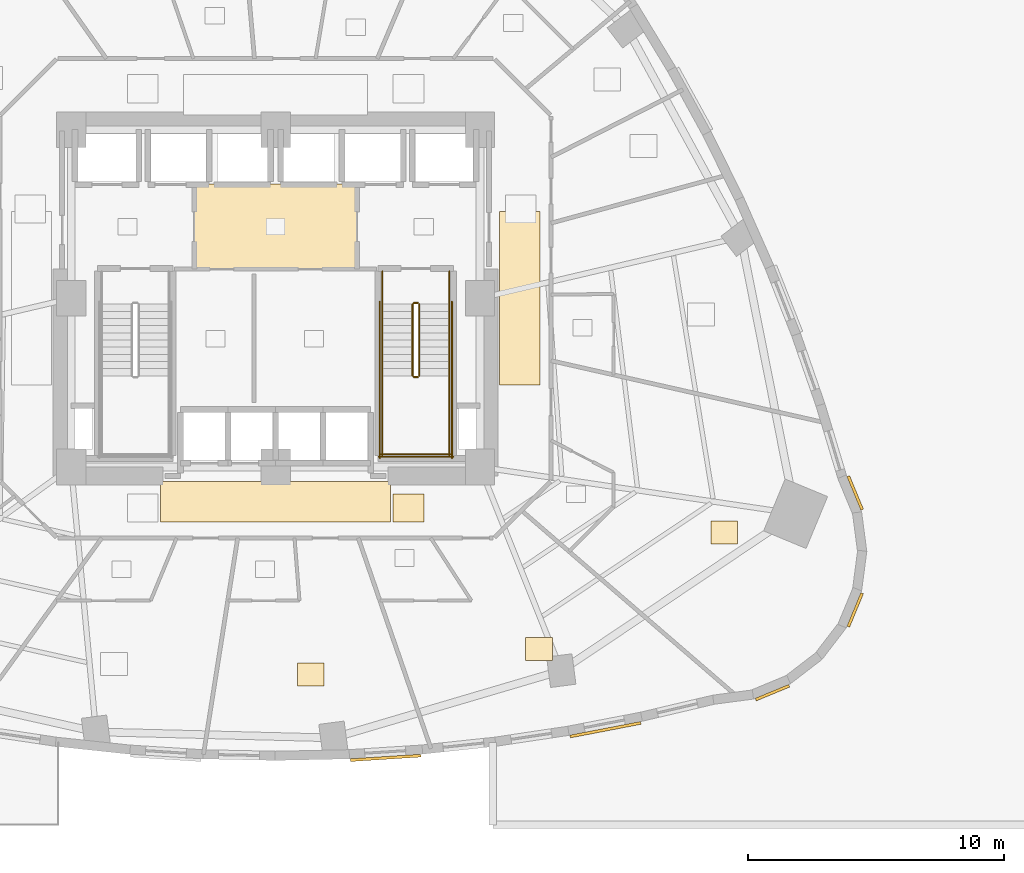
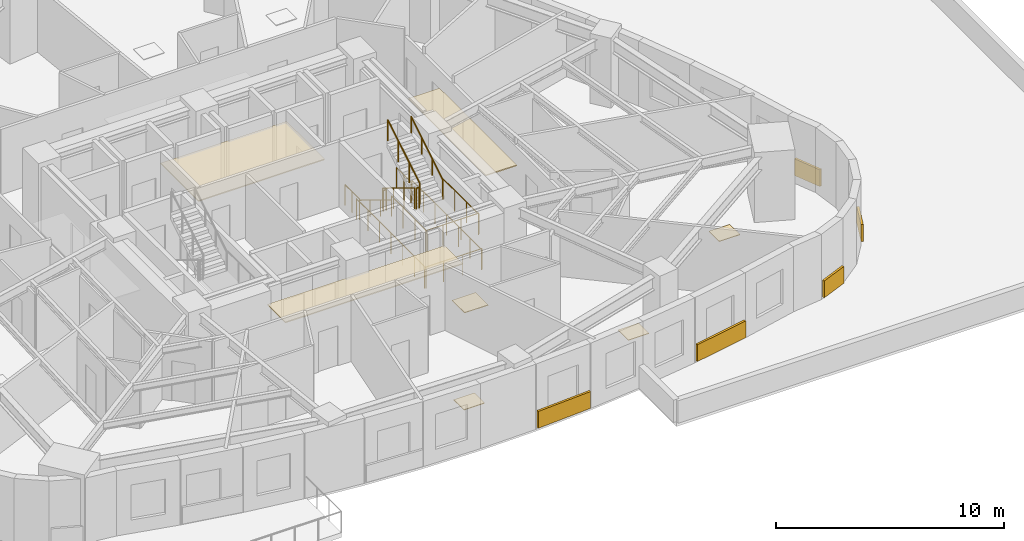
# One storey, part 14 of 15: 14 railings, 12 coverings.
"""IFC4 building model written with IfcOpenShell, lengths in metres."""

from ifc_helpers import new_model, si_unit, direction, frame, origin, origin_2d, place, context, subcontext, project, spatial, rectangle, circle, extrude, material, layer, layer_set, type_object, element, save


model = new_model("IFC4")

# Units and contexts
model_context = context("Model", 3, precision=1e-05, world=origin(), true_north=direction((0.0, 1.0)))
body_context = subcontext(model_context, "Body", "Model", "MODEL_VIEW")
ifc_project = project(units=[si_unit("LENGTHUNIT", "METRE"), si_unit("AREAUNIT", "SQUARE_METRE"), si_unit("VOLUMEUNIT", "CUBIC_METRE"), si_unit("PLANEANGLEUNIT", "RADIAN"), si_unit("MASSUNIT", "GRAM", prefix="KILO")], contexts=[model_context])

# Site, building, storey
site_placement = place(None, origin())
site = spatial("IfcSite", under=ifc_project, at=site_placement, CompositionType="ELEMENT")
building_placement = place(site_placement, origin())
building = spatial("IfcBuilding", under=site, at=building_placement, Name="Ndelora Gate Hotel", CompositionType="ELEMENT")
storey_placement = place(building_placement, frame((0.0, 0.0, 30.5)))
storey = spatial("IfcBuildingStorey", under=building, at=storey_placement, Name="L06", CompositionType="ELEMENT", Elevation=30.5)

# Coverings
ifc_material_1 = material(Name="Perforated Acoustic Gypsum Board", Category="gypsum")
ifc_layer_1 = layer(ifc_material_1, 0.054931640625)
ifc_layer_set_1 = layer_set([ifc_layer_1], Name="Perforated Acoustic Gypsum Board")
covering_type_1 = type_object("IfcCoveringType", Name="COV-CEIL-AC60", PredefinedType="CEILING", material=ifc_layer_set_1)
covering_1_placement = place(storey_placement, frame((0.0, 2.800048828125, 2.72265625), z_axis=(0.0, 0.0, 1.0), x_axis=(1.0, 0.0, 0.0)))
element("IfcCovering", 1, at=covering_1_placement, inside=storey, type_object=covering_type_1, Name="L06 Lift Lobby Acoustic Ceiling", PredefinedType="CEILING", context=body_context, shape_type="SweptSolid", body=[
    extrude(rectangle(XDim=6.39990234375, YDim=3.340087890625, at=origin_2d()), origin(), (0.0, 0.0, 1.0), 0.054931640625),
])
covering_2_placement = place(storey_placement, frame((9.550048828125, 0.0, 2.65234375), z_axis=(0.0, 0.0, 1.0), x_axis=(1.0, 0.0, 0.0)))
element("IfcCovering", 2, at=covering_2_placement, inside=storey, type_object=covering_type_1, Name="L06 Guest Corridor Acoustic Ceiling E", PredefinedType="CEILING", context=body_context, shape_type="SweptSolid", body=[
    extrude(rectangle(XDim=1.580078125, YDim=6.800048828125, at=origin_2d()), origin(), (0.0, 0.0, 1.0), 0.054931640625),
])
covering_3_placement = place(storey_placement, frame((0.0, -7.9599609375, 2.65234375), z_axis=(0.0, 0.0, 1.0), x_axis=(1.0, 0.0, 0.0)))
element("IfcCovering", 3, at=covering_3_placement, inside=storey, type_object=covering_type_1, Name="L06 Guest Corridor Acoustic Ceiling S", PredefinedType="CEILING", context=body_context, shape_type="SweptSolid", body=[
    extrude(rectangle(XDim=9.0, YDim=1.580078125, at=origin_2d()), origin(), (0.0, 0.0, 1.0), 0.054931640625),
])
ifc_material_2 = material(Name="Terracotta Fired Clay Brick Slip Cladding", Category="masonry")
ifc_layer_2 = layer(ifc_material_2, 0.110107421875)
ifc_layer_set_2 = layer_set([ifc_layer_2], Name="Terracotta Fired Clay Brick Slip Cladding")
covering_type_2 = type_object("IfcCoveringType", Name="COV-CLAD-BRK", PredefinedType="CLADDING", material=ifc_layer_set_2)
covering_4_placement = place(storey_placement, frame((4.303466796875, -17.984130859375, 0.10009765625), z_axis=(0.0, 0.0, 1.0), x_axis=(0.997949270516, 0.064009792035, 0.0)))
element("IfcCovering", 4, at=covering_4_placement, inside=storey, type_object=covering_type_2, Name="L06 Rounded-Corner Brick Cladding Band 34", PredefinedType="CLADDING", context=body_context, shape_type="SweptSolid", body=[
    extrude(rectangle(XDim=2.764892578125, YDim=0.110107421875, at=origin_2d()), origin(), (0.0, 0.0, 1.0), 0.89990234375),
])
covering_5_placement = place(storey_placement, frame((12.90966796875, -16.88037109375, 0.10009765625), z_axis=(0.0, 0.0, 1.0), x_axis=(0.981991701121, 0.188924055984, 0.0)))
element("IfcCovering", 5, at=covering_5_placement, inside=storey, type_object=covering_type_2, Name="L06 Rounded-Corner Brick Cladding Band 37", PredefinedType="CLADDING", context=body_context, shape_type="SweptSolid", body=[
    extrude(rectangle(XDim=2.81103515625, YDim=0.110107421875, at=origin_2d()), origin(), (0.0, 0.0, 1.0), 0.89990234375),
])
for number, where, z_axis, x_axis, name in (
    (6, (19.444091796875, -15.432373046875, 0.10009765625), (0.0, 0.0, 1.0), (0.923879532511, 0.382683432365, 0.0), "L06 Rounded-Corner Brick Cladding Band 40"),
    (7, (22.6826171875, -12.19384765625, 0.10009765625), (0.0, 0.0, 1.0), (0.382683432365, 0.923879532511, 0.0), "L06 Rounded-Corner Brick Cladding Band 43"),
    (8, (22.6826171875, -7.614013671875, 0.10009765625), (0.0, 0.0, 1.0), (-0.382683432365, 0.923879532511, 0.0), "L06 Rounded-Corner Brick Cladding Band 46"),
):
    element("IfcCovering", number, at=place(storey_placement, frame(where, z_axis=z_axis, x_axis=x_axis)), inside=storey, type_object=covering_type_2, Name=name, PredefinedType="CLADDING", context=body_context, shape_type="SweptSolid", body=[
        extrude(rectangle(XDim=1.4140625, YDim=0.110107421875, at=origin_2d()), origin(), (0.0, 0.0, 1.0), 0.89990234375),
    ])
ifc_material_3 = material(Name="Engineered Highland Oak Parquet", Category="wood")
ifc_layer_3 = layer(ifc_material_3, 0.030029296875)
ifc_layer_set_3 = layer_set([ifc_layer_3], Name="Engineered Highland Oak Parquet")
covering_type_3 = type_object("IfcCoveringType", Name="COV-FLR-PARQ", PredefinedType="FLOORING", material=ifc_layer_set_3)
for number, where, z_axis, x_axis, name in (
    (9, (1.376708984375, -14.728515625, 0.0), (0.0, 0.0, 1.0), (1.0, 0.0, 0.0), "L06 Executive King Guest Room 907 Oak Parquet Flooring"),
    (10, (10.306640625, -13.71337890625, 0.0), (0.0, 0.0, 1.0), (1.0, 0.0, 0.0), "L06 Corner Junior Suite 908 Oak Parquet Flooring"),
    (11, (17.554931640625, -9.15869140625, 0.0), (0.0, 0.0, 1.0), (1.0, 0.0, 0.0), "L06 Deluxe King Junior Suite 909 Oak Parquet Flooring"),
):
    element("IfcCovering", number, at=place(storey_placement, frame(where, z_axis=z_axis, x_axis=x_axis)), inside=storey, type_object=covering_type_3, Name=name, PredefinedType="FLOORING", context=body_context, shape_type="SweptSolid", body=[
        extrude(rectangle(XDim=1.050048828125, YDim=0.89990234375, at=origin_2d()), origin(), (0.0, 0.0, 1.0), 0.030029296875),
    ])
ifc_material_4 = material(Name="Polished Highland Stone Terrazzo", Category="masonry")
ifc_layer_4 = layer(ifc_material_4, 0.034912109375)
ifc_layer_set_4 = layer_set([ifc_layer_4], Name="Polished Highland Stone Terrazzo")
covering_type_4 = type_object("IfcCoveringType", Name="COV-FLR-TERZ", PredefinedType="FLOORING", material=ifc_layer_set_4)
covering_6_placement = place(storey_placement, frame((5.199951171875, -8.199951171875, 0.0), z_axis=(0.0, 0.0, 1.0), x_axis=(1.0, 0.0, 0.0)))
element("IfcCovering", 12, at=covering_6_placement, inside=storey, type_object=covering_type_4, Name="L06 Corridor Threshold Terrazzo Inlay SE", PredefinedType="FLOORING", context=body_context, shape_type="SweptSolid", body=[
    extrude(rectangle(XDim=1.199951171875, YDim=1.10009765625, at=origin_2d()), origin(), (0.0, 0.0, 1.0), 0.034912109375),
])

# Railings
ifc_material_5 = material(Name="Painted Galvanized Steel Balustrade", Category="steel")
ifc_layer_5 = layer(ifc_material_5, 0.06005859375)
ifc_layer_set_5 = layer_set([ifc_layer_5], Name="Painted Galvanized Steel Balustrade")
railing_type_1 = type_object("IfcRailingType", Name="RL-STAIR-GD", PredefinedType="GUARDRAIL", material=ifc_layer_set_5)
railing_1_placement = place(storey_placement, frame((5.360107421875, -0.22998046875, 0.17041015625)))
element("IfcRailing", 13, at=railing_1_placement, inside=storey, type_object=railing_type_1, Name="L06 ST5 stair guard 1", PredefinedType="GUARDRAIL", context=body_context, shape_type="SweptSolid", body=[
    extrude(circle(Radius=0.02392578125, at=origin_2d()), frame((0.0, 0.0, 1.10595703125), z_axis=(0.0, -0.854169791009, 0.51999420009), x_axis=(1.0, 0.0, 0.0)), (0.0, 0.0, 1.0), 3.278076171875),
    extrude(circle(Radius=0.02099609375, at=origin_2d()), origin(), (0.0, 0.0, 1.0), 1.081787109375),
    extrude(circle(Radius=0.02099609375, at=origin_2d()), frame((0.0, -0.933349609375, 0.568115234375)), (0.0, 0.0, 1.0), 1.081787109375),
    extrude(circle(Radius=0.02099609375, at=origin_2d()), frame((0.0, -1.86669921875, 1.136474609375)), (0.0, 0.0, 1.0), 1.081787109375),
    extrude(circle(Radius=0.02099609375, at=origin_2d()), frame((0.0, -2.800048828125, 1.70458984375)), (0.0, 0.0, 1.0), 1.081787109375),
])
railing_2_placement = place(storey_placement, frame((5.409912109375, -3.080078125, 1.875)))
element("IfcRailing", 14, at=railing_2_placement, inside=storey, type_object=railing_type_1, Name="L06 ST5 stair guard 2", PredefinedType="GUARDRAIL", context=body_context, shape_type="SweptSolid", body=[
    extrude(circle(Radius=0.02392578125, at=origin_2d()), frame((0.0, 0.0, 1.10595703125), z_axis=(1.0, 0.0, 0.0), x_axis=(0.0, 1.0, 0.0)), (0.0, 0.0, 1.0), 0.16015625),
    extrude(circle(Radius=0.02099609375, at=origin_2d()), origin(), (0.0, 0.0, 1.0), 1.081787109375),
    extrude(circle(Radius=0.02099609375, at=origin_2d()), frame((0.16015625, 0.0, 0.0)), (0.0, 0.0, 1.0), 1.081787109375),
])
for number, where, name in (
    (15, (4.179931640625, -3.030029296875, 1.875), "L06 ST5 stair guard 3"),
    (16, (6.800048828125, -3.030029296875, 1.875), "L06 ST5 stair guard 4"),
):
    element("IfcRailing", number, at=place(storey_placement, frame(where)), inside=storey, type_object=railing_type_1, Name=name, PredefinedType="GUARDRAIL", context=body_context, shape_type="SweptSolid", body=[
        extrude(circle(Radius=0.02392578125, at=origin_2d()), frame((0.0, 0.0, 1.10595703125), z_axis=(0.0, -1.0, 0.0), x_axis=(1.0, 0.0, 0.0)), (0.0, 0.0, 1.0), 3.119873046875),
        extrude(circle(Radius=0.02099609375, at=origin_2d()), origin(), (0.0, 0.0, 1.0), 1.081787109375),
        extrude(circle(Radius=0.02099609375, at=origin_2d()), frame((0.0, -1.0400390625, 0.0)), (0.0, 0.0, 1.0), 1.081787109375),
        extrude(circle(Radius=0.02099609375, at=origin_2d()), frame((0.0, -2.079833984375, 0.0)), (0.0, 0.0, 1.0), 1.081787109375),
        extrude(circle(Radius=0.02099609375, at=origin_2d()), frame((0.0, -3.119873046875, 0.0)), (0.0, 0.0, 1.0), 1.081787109375),
    ])
railing_3_placement = place(storey_placement, frame((4.1298828125, -6.10009765625, 1.875)))
element("IfcRailing", 17, at=railing_3_placement, inside=storey, type_object=railing_type_1, Name="L06 ST5 stair guard 5", PredefinedType="GUARDRAIL", context=body_context, shape_type="SweptSolid", body=[
    extrude(circle(Radius=0.02392578125, at=origin_2d()), frame((0.0, 0.0, 1.10595703125), z_axis=(1.0, 0.0, 0.0), x_axis=(0.0, 1.0, 0.0)), (0.0, 0.0, 1.0), 2.72021484375),
    extrude(circle(Radius=0.02099609375, at=origin_2d()), origin(), (0.0, 0.0, 1.0), 1.081787109375),
    extrude(circle(Radius=0.02099609375, at=origin_2d()), frame((0.90673828125, 0.0, 0.0)), (0.0, 0.0, 1.0), 1.081787109375),
    extrude(circle(Radius=0.02099609375, at=origin_2d()), frame((1.8134765625, 0.0, 0.0)), (0.0, 0.0, 1.0), 1.081787109375),
    extrude(circle(Radius=0.02099609375, at=origin_2d()), frame((2.72021484375, 0.0, 0.0)), (0.0, 0.0, 1.0), 1.081787109375),
])
railing_4_placement = place(storey_placement, frame((5.6201171875, -3.030029296875, 2.04541015625)))
element("IfcRailing", 18, at=railing_4_placement, inside=storey, type_object=railing_type_1, Name="L06 ST5 stair guard 6", PredefinedType="GUARDRAIL", context=body_context, shape_type="SweptSolid", body=[
    extrude(circle(Radius=0.02392578125, at=origin_2d()), frame((0.0, 0.0, 1.10595703125), z_axis=(0.0, 0.854169791009, 0.51999420009), x_axis=(-1.0, 0.0, 0.0)), (0.0, 0.0, 1.0), 3.278076171875),
    extrude(circle(Radius=0.02099609375, at=origin_2d()), origin(), (0.0, 0.0, 1.0), 1.081787109375),
    extrude(circle(Radius=0.02099609375, at=origin_2d()), frame((0.0, 0.933349609375, 0.568115234375)), (0.0, 0.0, 1.0), 1.081787109375),
    extrude(circle(Radius=0.02099609375, at=origin_2d()), frame((0.0, 1.86669921875, 1.136474609375)), (0.0, 0.0, 1.0), 1.081787109375),
    extrude(circle(Radius=0.02099609375, at=origin_2d()), frame((0.0, 2.800048828125, 1.70458984375)), (0.0, 0.0, 1.0), 1.081787109375),
])
railing_5_placement = place(storey_placement, frame((5.409912109375, -0.179931640625, 0.0)))
element("IfcRailing", 19, at=railing_5_placement, inside=storey, type_object=railing_type_1, Name="L06 ST5 stair guard 7", PredefinedType="GUARDRAIL", context=body_context, shape_type="SweptSolid", body=[
    extrude(circle(Radius=0.02392578125, at=origin_2d()), frame((0.0, 0.0, 1.10595703125), z_axis=(1.0, 0.0, 0.0), x_axis=(0.0, 1.0, 0.0)), (0.0, 0.0, 1.0), 0.16015625),
    extrude(circle(Radius=0.02099609375, at=origin_2d()), origin(), (0.0, 0.0, 1.0), 1.081787109375),
    extrude(circle(Radius=0.02099609375, at=origin_2d()), frame((0.16015625, 0.0, 0.0)), (0.0, 0.0, 1.0), 1.081787109375),
])
for number, where, name in (
    (20, (4.179931640625, 1.050048828125, 0.0), "L06 ST5 stair guard 8"),
    (21, (6.800048828125, 1.050048828125, 0.0), "L06 ST5 stair guard 9"),
):
    element("IfcRailing", number, at=place(storey_placement, frame(where)), inside=storey, type_object=railing_type_1, Name=name, PredefinedType="GUARDRAIL", context=body_context, shape_type="SweptSolid", body=[
        extrude(circle(Radius=0.02392578125, at=origin_2d()), frame((0.0, 0.0, 1.10595703125), z_axis=(0.0, -1.0, 0.0), x_axis=(1.0, 0.0, 0.0)), (0.0, 0.0, 1.0), 1.280029296875),
        extrude(circle(Radius=0.02099609375, at=origin_2d()), origin(), (0.0, 0.0, 1.0), 1.081787109375),
        extrude(circle(Radius=0.02099609375, at=origin_2d()), frame((0.0, -0.64013671875, 0.0)), (0.0, 0.0, 1.0), 1.081787109375),
        extrude(circle(Radius=0.02099609375, at=origin_2d()), frame((0.0, -1.280029296875, 0.0)), (0.0, 0.0, 1.0), 1.081787109375),
    ])
for number, where, name in (
    (22, (4.080078125, -0.1298828125, 0.0), "L06 ST5 stair guard 10"),
    (23, (6.89990234375, -0.1298828125, 0.0), "L06 ST5 stair guard 11"),
):
    element("IfcRailing", number, at=place(storey_placement, frame(where)), inside=storey, type_object=railing_type_1, Name=name, PredefinedType="GUARDRAIL", context=body_context, shape_type="SweptSolid", body=[
        extrude(circle(Radius=0.02392578125, at=origin_2d()), frame((0.0, 0.0, 1.10595703125), z_axis=(0.0, -1.0, 0.0), x_axis=(1.0, 0.0, 0.0)), (0.0, 0.0, 1.0), 6.1201171875),
        extrude(circle(Radius=0.02099609375, at=origin_2d()), origin(), (0.0, 0.0, 1.0), 1.081787109375),
        extrude(circle(Radius=0.02099609375, at=origin_2d()), frame((0.0, -1.02001953125, 0.0)), (0.0, 0.0, 1.0), 1.081787109375),
        extrude(circle(Radius=0.02099609375, at=origin_2d()), frame((0.0, -2.0400390625, 0.0)), (0.0, 0.0, 1.0), 1.081787109375),
        extrude(circle(Radius=0.02099609375, at=origin_2d()), frame((0.0, -3.06005859375, 0.0)), (0.0, 0.0, 1.0), 1.081787109375),
        extrude(circle(Radius=0.02099609375, at=origin_2d()), frame((0.0, -4.080078125, 0.0)), (0.0, 0.0, 1.0), 1.081787109375),
        extrude(circle(Radius=0.02099609375, at=origin_2d()), frame((0.0, -5.10009765625, 0.0)), (0.0, 0.0, 1.0), 1.081787109375),
        extrude(circle(Radius=0.02099609375, at=origin_2d()), frame((0.0, -6.1201171875, 0.0)), (0.0, 0.0, 1.0), 1.081787109375),
    ])
railing_6_placement = place(storey_placement, frame((4.030029296875, -6.199951171875, 0.0)))
element("IfcRailing", 24, at=railing_6_placement, inside=storey, type_object=railing_type_1, Name="L06 ST5 stair guard 12", PredefinedType="GUARDRAIL", context=body_context, shape_type="SweptSolid", body=[
    extrude(circle(Radius=0.02392578125, at=origin_2d()), frame((0.0, 0.0, 1.10595703125), z_axis=(1.0, 0.0, 0.0), x_axis=(0.0, 1.0, 0.0)), (0.0, 0.0, 1.0), 2.919921875),
    extrude(circle(Radius=0.02099609375, at=origin_2d()), origin(), (0.0, 0.0, 1.0), 1.081787109375),
    extrude(circle(Radius=0.02099609375, at=origin_2d()), frame((0.973388671875, 0.0, 0.0)), (0.0, 0.0, 1.0), 1.081787109375),
    extrude(circle(Radius=0.02099609375, at=origin_2d()), frame((1.946533203125, 0.0, 0.0)), (0.0, 0.0, 1.0), 1.081787109375),
    extrude(circle(Radius=0.02099609375, at=origin_2d()), frame((2.919921875, 0.0, 0.0)), (0.0, 0.0, 1.0), 1.081787109375),
])
ifc_material_6 = material(Name="Brushed Stainless Steel 316", Category="steel")
ifc_layer_6 = layer(ifc_material_6, 0.050048828125)
ifc_layer_set_6 = layer_set([ifc_layer_6], Name="Brushed Stainless Steel 316")
railing_type_2 = type_object("IfcRailingType", Name="RL-STAIR-HR", PredefinedType="HANDRAIL", material=ifc_layer_set_6)
railing_7_placement = place(storey_placement, frame((4.179931640625, -0.22998046875, 0.17041015625)))
element("IfcRailing", 25, at=railing_7_placement, inside=storey, type_object=railing_type_2, Name="L06 ST5 stair handrail 1", PredefinedType="HANDRAIL", context=body_context, shape_type="SweptSolid", body=[
    extrude(circle(Radius=0.02392578125, at=origin_2d()), frame((0.0, 0.0, 0.8759765625), z_axis=(0.0, -0.854169791009, 0.51999420009), x_axis=(1.0, 0.0, 0.0)), (0.0, 0.0, 1.0), 3.278076171875),
    extrude(circle(Radius=0.02099609375, at=origin_2d()), origin(), (0.0, 0.0, 1.0), 0.851806640625),
    extrude(circle(Radius=0.02099609375, at=origin_2d()), frame((0.0, -0.933349609375, 0.568115234375)), (0.0, 0.0, 1.0), 0.851806640625),
    extrude(circle(Radius=0.02099609375, at=origin_2d()), frame((0.0, -1.86669921875, 1.136474609375)), (0.0, 0.0, 1.0), 0.851806640625),
    extrude(circle(Radius=0.02099609375, at=origin_2d()), frame((0.0, -2.800048828125, 1.70458984375)), (0.0, 0.0, 1.0), 0.851806640625),
])
railing_8_placement = place(storey_placement, frame((6.800048828125, -3.030029296875, 2.04541015625)))
element("IfcRailing", 26, at=railing_8_placement, inside=storey, type_object=railing_type_2, Name="L06 ST5 stair handrail 2", PredefinedType="HANDRAIL", context=body_context, shape_type="SweptSolid", body=[
    extrude(circle(Radius=0.02392578125, at=origin_2d()), frame((0.0, 0.0, 0.8759765625), z_axis=(0.0, 0.854169791009, 0.51999420009), x_axis=(-1.0, 0.0, 0.0)), (0.0, 0.0, 1.0), 3.278076171875),
    extrude(circle(Radius=0.02099609375, at=origin_2d()), origin(), (0.0, 0.0, 1.0), 0.851806640625),
    extrude(circle(Radius=0.02099609375, at=origin_2d()), frame((0.0, 0.933349609375, 0.568115234375)), (0.0, 0.0, 1.0), 0.851806640625),
    extrude(circle(Radius=0.02099609375, at=origin_2d()), frame((0.0, 1.86669921875, 1.136474609375)), (0.0, 0.0, 1.0), 0.851806640625),
    extrude(circle(Radius=0.02099609375, at=origin_2d()), frame((0.0, 2.800048828125, 1.70458984375)), (0.0, 0.0, 1.0), 0.851806640625),
])

save(model, "model.ifc")
